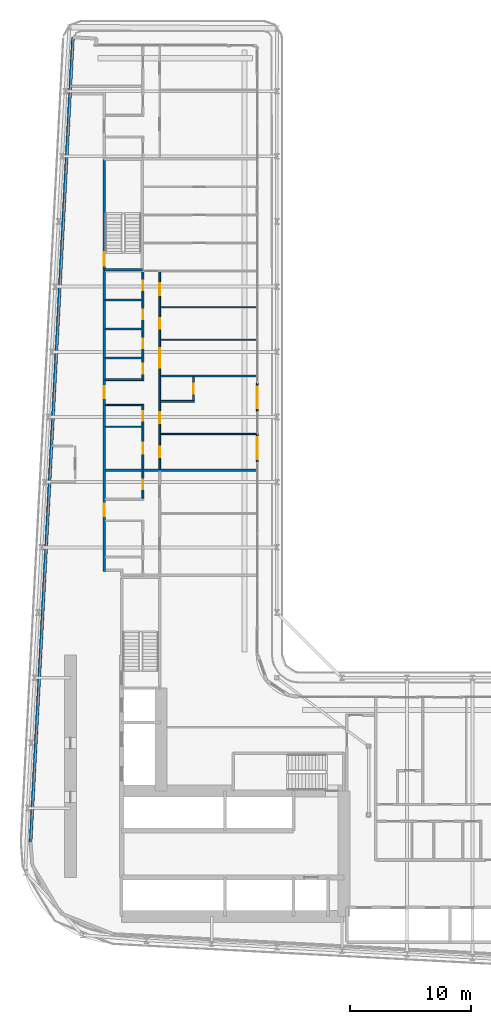
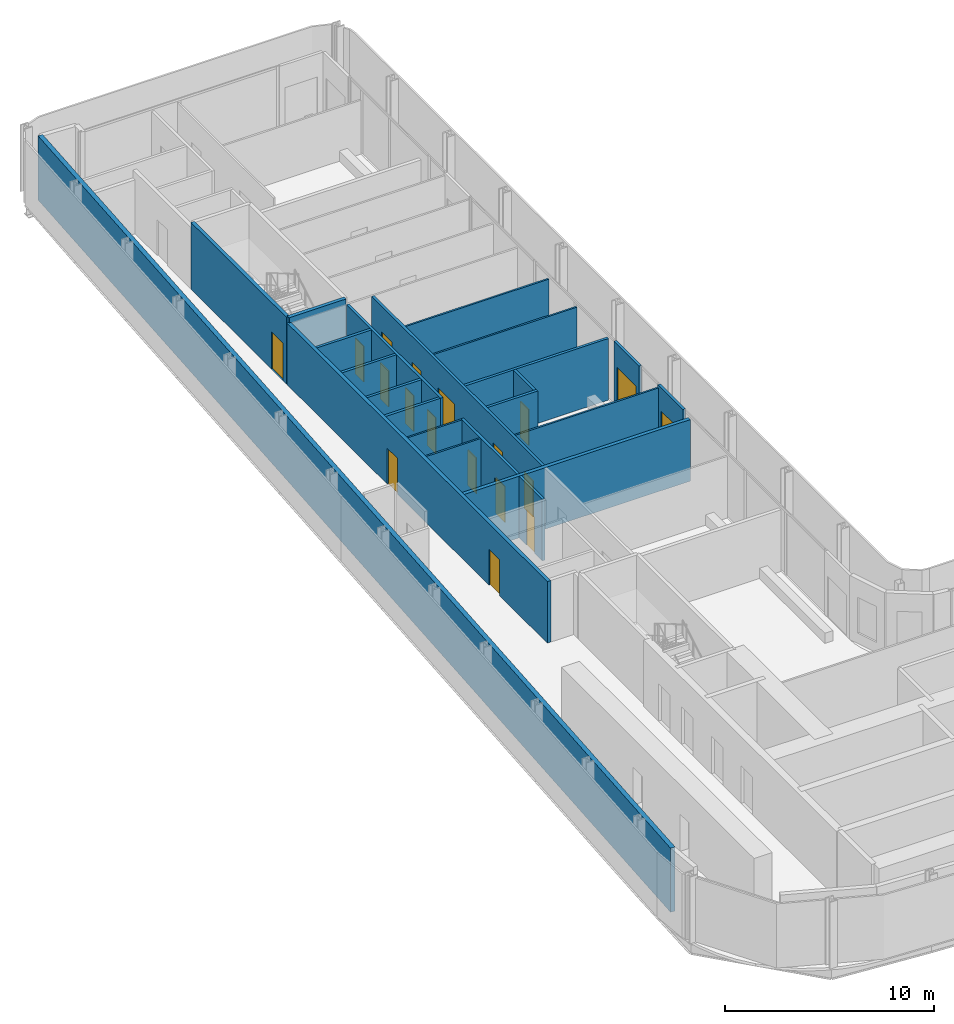
# One storey, part 15 of 24: 23 walls, 18 doors, 18 openings.
"""IFC4 building model written with IfcOpenShell, lengths in metres."""

from ifc_helpers import new_model, si_unit, direction, frame, frame_2d, origin, place, context, subcontext, project, spatial, rectangle, extrude, source, transform, mapped, material, layer, layer_set, type_object, element, fill, save


model = new_model("IFC4")

# Units and contexts
model_context = context("Model", 3, precision=1e-05, world=origin(), true_north=direction((0.0, 1.0)))
body_context = subcontext(model_context, "Body", "Model", "MODEL_VIEW")
ifc_project = project(units=[si_unit("LENGTHUNIT", "METRE"), si_unit("AREAUNIT", "SQUARE_METRE"), si_unit("VOLUMEUNIT", "CUBIC_METRE"), si_unit("PLANEANGLEUNIT", "RADIAN"), si_unit("MASSUNIT", "GRAM", prefix="KILO")], contexts=[model_context])

# Site, building, storey
site_placement = place(None, origin())
site = spatial("IfcSite", under=ifc_project, at=site_placement, CompositionType="ELEMENT")
building_placement = place(site_placement, origin())
building = spatial("IfcBuilding", under=site, at=building_placement, Name="Kheshtan School and Residences Tower", CompositionType="ELEMENT")
storey_placement = place(building_placement, frame((0.0, 0.0, 38.300048828125)))
storey = spatial("IfcBuildingStorey", under=building, at=storey_placement, Name="L08", CompositionType="ELEMENT", Elevation=38.300048828125)

# Wall, openings, doors
ifc_material_1 = material(Name="Gypsum board on steel studs with fire boards", Category="steel")
ifc_layer_1 = layer(ifc_material_1, 0.199951171875)
ifc_layer_set_1 = layer_set([ifc_layer_1], Name="Corridor wall 200")
wall_type_1 = type_object("IfcWallType", Name="Corridor wall 200", PredefinedType="PARTITIONING", material=ifc_layer_set_1)
wall_1_placement = place(storey_placement, frame((33.300048828125, 54.39990234375, 0.0), z_axis=(0.0, 0.0, 1.0), x_axis=(0.0, 1.0, 0.0)))
wall_1 = element("IfcWall", 1, at=wall_1_placement, inside=storey, type_object=wall_type_1, Name="Partition L08-003", PredefinedType="PARTITIONING", context=body_context, shape_type="SweptSolid", body=[
    extrude(rectangle(XDim=24.9501953125, YDim=0.199951171875, at=frame_2d((12.47509765625, 0.0))), origin(), (0.0, 0.0, 1.0), 3.599853515625),
])
opening_1_placement = place(wall_1_placement, frame((4.60009765625, 0.0, 0.0)))
opening_1 = element("IfcOpeningElement", 2, at=opening_1_placement, cuts=wall_1, Name="Opening D08-029", PredefinedType="OPENING", context=body_context, shape_type="SweptSolid", body=[
    extrude(rectangle(XDim=1.0, YDim=2.10009765625, at=frame_2d((0.5, 1.050048828125))), frame((0.0, 0.10986328125, 0.0), z_axis=(0.0, -1.0, 0.0), x_axis=(1.0, 0.0, 0.0)), (0.0, 0.0, 1.0), 0.219970703125),
])
opening_2_placement = place(wall_1_placement, frame((14.35009765625, 0.0, 0.0)))
opening_2 = element("IfcOpeningElement", 3, at=opening_2_placement, cuts=wall_1, Name="Opening D08-039", PredefinedType="OPENING", context=body_context, shape_type="SweptSolid", body=[
    extrude(rectangle(XDim=1.0, YDim=2.10009765625, at=frame_2d((0.5, 1.050048828125))), frame((0.0, 0.10986328125, 0.0), z_axis=(0.0, -1.0, 0.0), x_axis=(1.0, 0.0, 0.0)), (0.0, 0.0, 1.0), 0.219970703125),
])
ifc_material_2 = material(Name="Steel-framed fire-resisting door leaf", Category="steel")
door_type_1 = type_object("IfcDoorType", Name="Fire door FD30S 1000 x 2100", OperationType="SINGLE_SWING_LEFT", PredefinedType="DOOR", material=ifc_material_2)
shared_shape_1 = source(origin(), body_context, "Body", "SweptSolid", [
    extrude(rectangle(XDim=1.0, YDim=2.10009765625, at=frame_2d((0.5, 1.050048828125))), frame((0.0, 0.02490234375, 0.0), z_axis=(0.0, -1.0, 0.0), x_axis=(1.0, 0.0, 0.0)), (0.0, 0.0, 1.0), 0.050048828125),
])
door_1_placement = place(opening_1_placement, origin())
door_1 = element("IfcDoor", 4, at=door_1_placement, inside=storey, type_object=door_type_1, Name="Door D08-029", OperationType="SINGLE_SWING_LEFT", OverallHeight=2.10009765625, OverallWidth=1.0, PredefinedType="DOOR", context=body_context, shape_type="MappedRepresentation", body=[
    mapped(shared_shape_1, transform((0.0, 0.0, 0.0), x_axis=(1.0, 0.0, 0.0), y_axis=(0.0, 1.0, 0.0), z_axis=(0.0, 0.0, 1.0), scale=1.0)),
])
fill(opening_1, door_1)
door_2_placement = place(opening_2_placement, origin())
door_2 = element("IfcDoor", 5, at=door_2_placement, inside=storey, type_object=door_type_1, Name="Door D08-039", OperationType="SINGLE_SWING_LEFT", OverallHeight=2.10009765625, OverallWidth=1.0, PredefinedType="DOOR", context=body_context, shape_type="MappedRepresentation", body=[
    mapped(shared_shape_1, transform((0.0, 0.0, 0.0), x_axis=(1.0, 0.0, 0.0), y_axis=(0.0, 1.0, 0.0), z_axis=(0.0, 0.0, 1.0), scale=1.0)),
])
fill(opening_2, door_2)

# Wall
ifc_material_3 = material(Name="Concrete C40/50 with ceramic cladding and mineral wool insulation", Category="concrete")
ifc_layer_2 = layer(ifc_material_3, 0.25)
ifc_layer_set_2 = layer_set([ifc_layer_2], Name="External wall 250 ceramic clad")
wall_type_2 = type_object("IfcWallType", Name="External wall 250 ceramic clad", PredefinedType="SOLIDWALL", material=ifc_layer_set_2)
wall_2_placement = place(storey_placement, frame((27.195068359375, 31.968994140625, 0.0), z_axis=(0.0, 0.0, 1.0), x_axis=(0.052554995867, 0.998618031286, 0.0)))
element("IfcWall", 6, at=wall_2_placement, inside=storey, type_object=wall_type_2, Name="External wall L08 4", PredefinedType="SOLIDWALL", context=body_context, shape_type="SweptSolid", body=[
    extrude(rectangle(XDim=66.787353515625, YDim=0.25, at=frame_2d((33.3935546875, 0.0))), origin(), (0.0, 0.0, 1.0), 3.75),
])

# Wall, opening, door
ifc_material_4 = material(Name="Aluminium frame wall with insulated infill", Category="aluminium")
ifc_layer_3 = layer(ifc_material_4, 0.14990234375)
ifc_layer_set_3 = layer_set([ifc_layer_3], Name="Glazing frame wall 150")
wall_type_3 = type_object("IfcWallType", Name="Glazing frame wall 150", PredefinedType="SOLIDWALL", material=ifc_layer_set_3)
wall_3_placement = place(storey_placement, frame((45.97509765625, 70.01806640625, 0.0), z_axis=(0.0, 0.0, 1.0), x_axis=(0.0, -1.0, 0.0)))
wall_3 = element("IfcWall", 7, at=wall_3_placement, inside=storey, type_object=wall_type_3, Name="Balcony door wall L08 8.3", PredefinedType="SOLIDWALL", context=body_context, shape_type="SweptSolid", body=[
    extrude(rectangle(XDim=2.400146484375, YDim=0.14990234375, at=frame_2d((1.2001953125, 0.0))), origin(), (0.0, 0.0, 1.0), 3.75),
])
opening_3_placement = place(wall_3_placement, frame((0.300048828125, 0.0, 0.0)))
opening_3 = element("IfcOpeningElement", 8, at=opening_3_placement, cuts=wall_3, Name="Opening BD", PredefinedType="OPENING", context=body_context, shape_type="SweptSolid", body=[
    extrude(rectangle(XDim=1.800048828125, YDim=2.39990234375, at=frame_2d((0.89990234375, 1.199951171875))), frame((0.0, 0.0849609375, 0.0), z_axis=(0.0, -1.0, 0.0), x_axis=(1.0, 0.0, 0.0)), (0.0, 0.0, 1.0), 0.169921875),
])
ifc_material_5 = material(Name="Clear low-e glass in thermally broken aluminium frame", Category="aluminium")
door_type_2 = type_object("IfcDoorType", Name="Balcony sliding door", OperationType="SLIDING_TO_LEFT", PredefinedType="DOOR", material=ifc_material_5)
shared_shape_2 = source(origin(), body_context, "Body", "SweptSolid", [
    extrude(rectangle(XDim=1.800048828125, YDim=2.39990234375, at=frame_2d((0.89990234375, 1.199951171875))), frame((0.0, 0.02490234375, 0.0), z_axis=(0.0, -1.0, 0.0), x_axis=(1.0, 0.0, 0.0)), (0.0, 0.0, 1.0), 0.050048828125),
])
door_3_placement = place(opening_3_placement, origin())
door_3 = element("IfcDoor", 9, at=door_3_placement, inside=storey, type_object=door_type_2, Name="Balcony door L08 8.3", OperationType="SLIDING_TO_LEFT", OverallHeight=2.39990234375, OverallWidth=1.800048828125, PredefinedType="DOOR", context=body_context, shape_type="MappedRepresentation", body=[
    mapped(shared_shape_2, transform((0.0, 0.0, 0.0), x_axis=(1.0, 0.0, 0.0), y_axis=(0.0, 1.0, 0.0), z_axis=(0.0, 0.0, 1.0), scale=1.0)),
])
fill(opening_3, door_3)

wall_4_placement = place(storey_placement, frame((45.97509765625, 65.818115234375, 0.0), z_axis=(0.0, 0.0, 1.0), x_axis=(0.0, -1.0, 0.0)))
wall_4 = element("IfcWall", 10, at=wall_4_placement, inside=storey, type_object=wall_type_3, Name="Balcony door wall L08 8.4", PredefinedType="SOLIDWALL", context=body_context, shape_type="SweptSolid", body=[
    extrude(rectangle(XDim=2.400146484375, YDim=0.14990234375, at=frame_2d((1.2001953125, 0.0))), origin(), (0.0, 0.0, 1.0), 3.75),
])
opening_4_placement = place(wall_4_placement, frame((0.300048828125, 0.0, 0.0)))
opening_4 = element("IfcOpeningElement", 11, at=opening_4_placement, cuts=wall_4, Name="Opening BD", PredefinedType="OPENING", context=body_context, shape_type="SweptSolid", body=[
    extrude(rectangle(XDim=1.800048828125, YDim=2.39990234375, at=frame_2d((0.89990234375, 1.199951171875))), frame((0.0, 0.0849609375, 0.0), z_axis=(0.0, -1.0, 0.0), x_axis=(1.0, 0.0, 0.0)), (0.0, 0.0, 1.0), 0.169921875),
])
door_4_placement = place(opening_4_placement, origin())
door_4 = element("IfcDoor", 12, at=door_4_placement, inside=storey, type_object=door_type_2, Name="Balcony door L08 8.4", OperationType="SLIDING_TO_LEFT", OverallHeight=2.39990234375, OverallWidth=1.800048828125, PredefinedType="DOOR", context=body_context, shape_type="MappedRepresentation", body=[
    mapped(shared_shape_2, transform((0.0, 0.0, 0.0), x_axis=(1.0, 0.0, 0.0), y_axis=(0.0, 1.0, 0.0), z_axis=(0.0, 0.0, 1.0), scale=1.0)),
])
fill(opening_4, door_4)

# Walls
ifc_material_6 = material(Name="Gypsum board on steel studs", Category="steel")
ifc_layer_4 = layer(ifc_material_6, 0.10009765625)
ifc_layer_set_4 = layer_set([ifc_layer_4], Name="Gypsum partition 100")
wall_type_4 = type_object("IfcWallType", Name="Gypsum partition 100", PredefinedType="PARTITIONING", material=ifc_layer_set_4)
for number, where, z_axis, x_axis, name in (
    (13, (33.39990234375, 66.39990234375, 0.0), (0.0, 0.0, 1.0), (1.0, 0.0, 0.0), "Partition L08-010"),
    (14, (33.39990234375, 68.199951171875, 0.0), (0.0, 0.0, 1.0), (1.0, 0.0, 0.0), "Partition L08-011"),
):
    element("IfcWall", number, at=place(storey_placement, frame(where, z_axis=z_axis, x_axis=x_axis)), inside=storey, type_object=wall_type_4, Name=name, PredefinedType="PARTITIONING", context=body_context, shape_type="SweptSolid", body=[
        extrude(rectangle(XDim=3.025146484375, YDim=0.10009765625, at=frame_2d((1.5126953125, 0.0))), origin(), (0.0, 0.0, 1.0), 3.599853515625),
    ])
for number, where, z_axis, x_axis, name in (
    (15, (37.97509765625, 65.800048828125, 0.0), (0.0, 0.0, 1.0), (1.0, 0.0, 0.0), "Partition L08-037"),
    (16, (37.97509765625, 73.60009765625, 0.0), (0.0, 0.0, 1.0), (1.0, 0.0, 0.0), "Partition L08-040"),
    (17, (37.97509765625, 76.300048828125, 0.0), (0.0, 0.0, 1.0), (1.0, 0.0, 0.0), "Partition L08-041"),
):
    element("IfcWall", number, at=place(storey_placement, frame(where, z_axis=z_axis, x_axis=x_axis)), inside=storey, type_object=wall_type_4, Name=name, PredefinedType="PARTITIONING", context=body_context, shape_type="SweptSolid", body=[
        extrude(rectangle(XDim=7.9248046875, YDim=0.10009765625, at=frame_2d((3.96240234375, 0.0))), origin(), (0.0, 0.0, 1.0), 3.599853515625),
    ])
ifc_material_7 = material(Name="Concrete C40/50", Category="concrete")
ifc_layer_5 = layer(ifc_material_7, 0.199951171875)
ifc_layer_set_5 = layer_set([ifc_layer_5], Name="Stair enclosure wall 200 Concrete C40/50")
wall_type_5 = type_object("IfcWallType", Name="Stair enclosure wall 200 Concrete C40/50", PredefinedType="SHEAR", material=ifc_layer_set_5)
wall_5_placement = place(storey_placement, frame((33.300048828125, 79.39990234375, 0.0), z_axis=(0.0, 0.0, 1.0), x_axis=(1.0, 0.0, 0.0)))
element("IfcWall", 18, at=wall_5_placement, inside=storey, type_object=wall_type_5, Name="Stair enclosure wall ST3", PredefinedType="SHEAR", context=body_context, shape_type="SweptSolid", body=[
    extrude(rectangle(XDim=3.14990234375, YDim=0.199951171875, at=frame_2d((1.574951171875, 0.0))), origin(), (0.0, 0.0, 1.0), 3.89990234375),
])

# Wall, opening, door
wall_6_placement = place(storey_placement, frame((33.300048828125, 79.39990234375, 0.0), z_axis=(0.0, 0.0, 1.0), x_axis=(0.0, 1.0, 0.0)))
wall_6 = element("IfcWall", 19, at=wall_6_placement, inside=storey, type_object=wall_type_5, Name="Stair enclosure wall ST3", PredefinedType="SHEAR", context=body_context, shape_type="SweptSolid", body=[
    extrude(rectangle(XDim=9.16015625, YDim=0.199951171875, at=frame_2d((4.580078125, 0.0))), origin(), (0.0, 0.0, 1.0), 3.89990234375),
])
opening_5_placement = place(wall_6_placement, frame((0.35009765625, 0.0, 0.0)))
opening_5 = element("IfcOpeningElement", 20, at=opening_5_placement, cuts=wall_6, Name="Opening ST3D", PredefinedType="OPENING", context=body_context, shape_type="SweptSolid", body=[
    extrude(rectangle(XDim=1.10009765625, YDim=2.199951171875, at=frame_2d((0.550048828125, 1.10009765625))), frame((0.0, 0.10986328125, 0.0), z_axis=(0.0, -1.0, 0.0), x_axis=(1.0, 0.0, 0.0)), (0.0, 0.0, 1.0), 0.219970703125),
])
ifc_material_8 = material(Name="Steel door leaf, galvanised", Category="steel")
door_type_3 = type_object("IfcDoorType", Name="Stair door 1100 steel 90 min", OperationType="SINGLE_SWING_LEFT", PredefinedType="DOOR", material=ifc_material_8)
shared_shape_3 = source(origin(), body_context, "Body", "SweptSolid", [
    extrude(rectangle(XDim=1.10009765625, YDim=2.199951171875, at=frame_2d((0.550048828125, 1.10009765625))), frame((0.0, 0.02490234375, 0.0), z_axis=(0.0, -1.0, 0.0), x_axis=(1.0, 0.0, 0.0)), (0.0, 0.0, 1.0), 0.050048828125),
])
door_5_placement = place(opening_5_placement, origin())
door_5 = element("IfcDoor", 21, at=door_5_placement, inside=storey, type_object=door_type_3, Name="Stair ST3 door", OperationType="SINGLE_SWING_RIGHT", OverallHeight=2.199951171875, OverallWidth=1.10009765625, PredefinedType="DOOR", context=body_context, shape_type="MappedRepresentation", body=[
    mapped(shared_shape_3, transform((0.0, 0.0, 0.0), x_axis=(1.0, 0.0, 0.0), y_axis=(0.0, 1.0, 0.0), z_axis=(0.0, 0.0, 1.0), scale=1.0)),
])
fill(opening_5, door_5)

# Walls
ifc_material_9 = material(Name="Twin gypsum board on steel studs with mineral wool", Category="steel")
ifc_layer_6 = layer(ifc_material_9, 0.199951171875)
ifc_layer_set_6 = layer_set([ifc_layer_6], Name="Unit demising wall 200")
wall_type_6 = type_object("IfcWallType", Name="Unit demising wall 200", PredefinedType="PARTITIONING", material=ifc_layer_set_6)
wall_7_placement = place(storey_placement, frame((33.39990234375, 62.800048828125, 0.0), z_axis=(0.0, 0.0, 1.0), x_axis=(1.0, 0.0, 0.0)))
element("IfcWall", 22, at=wall_7_placement, inside=storey, type_object=wall_type_6, Name="Partition L08-009", PredefinedType="PARTITIONING", context=body_context, shape_type="SweptSolid", body=[
    extrude(rectangle(XDim=12.5, YDim=0.199951171875, at=frame_2d((6.25, 0.0))), origin(), (0.0, 0.0, 1.0), 3.599853515625),
])
ifc_material_10 = material(Name="Moisture-resistant gypsum board on steel studs", Category="steel")
ifc_layer_7 = layer(ifc_material_10, 0.14990234375)
ifc_layer_set_7 = layer_set([ifc_layer_7], Name="Wet-room partition 150")
wall_type_7 = type_object("IfcWallType", Name="Wet-room partition 150", PredefinedType="PARTITIONING", material=ifc_layer_set_7)
for number, where, z_axis, x_axis, name in (
    (23, (33.39990234375, 70.300048828125, 0.0), (0.0, 0.0, 1.0), (1.0, 0.0, 0.0), "Partition L08-012"),
    (24, (33.39990234375, 72.10009765625, 0.0), (0.0, 0.0, 1.0), (1.0, 0.0, 0.0), "Partition L08-013"),
    (25, (33.39990234375, 74.5, 0.0), (0.0, 0.0, 1.0), (1.0, 0.0, 0.0), "Partition L08-014"),
    (26, (33.39990234375, 76.89990234375, 0.0), (0.0, 0.0, 1.0), (1.0, 0.0, 0.0), "Partition L08-015"),
):
    element("IfcWall", number, at=place(storey_placement, frame(where, z_axis=z_axis, x_axis=x_axis)), inside=storey, type_object=wall_type_7, Name=name, PredefinedType="PARTITIONING", context=body_context, shape_type="SweptSolid", body=[
        extrude(rectangle(XDim=3.025146484375, YDim=0.14990234375, at=frame_2d((1.5126953125, 0.0))), origin(), (0.0, 0.0, 1.0), 3.599853515625),
    ])

# Wall, opening, door
wall_8_placement = place(storey_placement, frame((36.5, 60.47509765625, 0.0), z_axis=(0.0, 0.0, 1.0), x_axis=(0.0, 1.0, 0.0)))
wall_8 = element("IfcWall", 27, at=wall_8_placement, inside=storey, type_object=wall_type_7, Name="Partition L08-024", PredefinedType="PARTITIONING", context=body_context, shape_type="SweptSolid", body=[
    extrude(rectangle(XDim=2.224853515625, YDim=0.14990234375, at=frame_2d((1.1123046875, 0.0))), origin(), (0.0, 0.0, 1.0), 3.599853515625),
])
opening_6_placement = place(wall_8_placement, frame((0.72509765625, 0.0, 0.0)))
opening_6 = element("IfcOpeningElement", 28, at=opening_6_placement, cuts=wall_8, Name="Opening D08-027", PredefinedType="OPENING", context=body_context, shape_type="SweptSolid", body=[
    extrude(rectangle(XDim=0.800048828125, YDim=2.10009765625, at=frame_2d((0.39990234375, 1.050048828125))), frame((0.0, 0.0849609375, 0.0), z_axis=(0.0, -1.0, 0.0), x_axis=(1.0, 0.0, 0.0)), (0.0, 0.0, 1.0), 0.169921875),
])
ifc_material_11 = material(Name="Veneered timber door leaf", Category="wood")
door_type_4 = type_object("IfcDoorType", Name="Door 800 x 2100", OperationType="SINGLE_SWING_LEFT", PredefinedType="DOOR", material=ifc_material_11)
shared_shape_4 = source(origin(), body_context, "Body", "SweptSolid", [
    extrude(rectangle(XDim=0.800048828125, YDim=2.10009765625, at=frame_2d((0.39990234375, 1.050048828125))), frame((0.0, 0.02490234375, 0.0), z_axis=(0.0, -1.0, 0.0), x_axis=(1.0, 0.0, 0.0)), (0.0, 0.0, 1.0), 0.050048828125),
])
door_6_placement = place(opening_6_placement, origin())
door_6 = element("IfcDoor", 29, at=door_6_placement, inside=storey, type_object=door_type_4, Name="Door D08-027", OperationType="SINGLE_SWING_LEFT", OverallHeight=2.10009765625, OverallWidth=0.800048828125, PredefinedType="DOOR", context=body_context, shape_type="MappedRepresentation", body=[
    mapped(shared_shape_4, transform((0.0, 0.0, 0.0), x_axis=(1.0, 0.0, 0.0), y_axis=(0.0, 1.0, 0.0), z_axis=(0.0, 0.0, 1.0), scale=1.0)),
])
fill(opening_6, door_6)

# Wall, openings, doors
wall_9_placement = place(storey_placement, frame((36.5, 62.89990234375, 0.0), z_axis=(0.0, 0.0, 1.0), x_axis=(0.0, 1.0, 0.0)))
wall_9 = element("IfcWall", 30, at=wall_9_placement, inside=storey, type_object=wall_type_7, Name="Partition L08-025", PredefinedType="PARTITIONING", context=body_context, shape_type="SweptSolid", body=[
    extrude(rectangle(XDim=5.35009765625, YDim=0.14990234375, at=frame_2d((2.675048828125, 0.0))), origin(), (0.0, 0.0, 1.0), 3.599853515625),
])
opening_7_placement = place(wall_9_placement, frame((1.25, 0.0, 0.0)))
opening_7 = element("IfcOpeningElement", 31, at=opening_7_placement, cuts=wall_9, Name="Opening D08-040", PredefinedType="OPENING", context=body_context, shape_type="SweptSolid", body=[
    extrude(rectangle(XDim=0.89990234375, YDim=2.10009765625, at=frame_2d((0.449951171875, 1.050048828125))), frame((0.0, 0.0849609375, 0.0), z_axis=(0.0, -1.0, 0.0), x_axis=(1.0, 0.0, 0.0)), (0.0, 0.0, 1.0), 0.169921875),
])
opening_8_placement = place(wall_9_placement, frame((4.0, 0.0, 0.0)))
opening_8 = element("IfcOpeningElement", 32, at=opening_8_placement, cuts=wall_9, Name="Opening D08-044", PredefinedType="OPENING", context=body_context, shape_type="SweptSolid", body=[
    extrude(rectangle(XDim=0.800048828125, YDim=2.10009765625, at=frame_2d((0.39990234375, 1.050048828125))), frame((0.0, 0.0849609375, 0.0), z_axis=(0.0, -1.0, 0.0), x_axis=(1.0, 0.0, 0.0)), (0.0, 0.0, 1.0), 0.169921875),
])
door_7_placement = place(opening_8_placement, origin())
door_7 = element("IfcDoor", 33, at=door_7_placement, inside=storey, type_object=door_type_4, Name="Door D08-044", OperationType="SINGLE_SWING_RIGHT", OverallHeight=2.10009765625, OverallWidth=0.800048828125, PredefinedType="DOOR", context=body_context, shape_type="MappedRepresentation", body=[
    mapped(shared_shape_4, transform((0.0, 0.0, 0.0), x_axis=(1.0, 0.0, 0.0), y_axis=(0.0, 1.0, 0.0), z_axis=(0.0, 0.0, 1.0), scale=1.0)),
])
fill(opening_8, door_7)
door_type_5 = type_object("IfcDoorType", Name="Door 900 x 2100", OperationType="SINGLE_SWING_LEFT", PredefinedType="DOOR", material=ifc_material_11)
shared_shape_5 = source(origin(), body_context, "Body", "SweptSolid", [
    extrude(rectangle(XDim=0.89990234375, YDim=2.10009765625, at=frame_2d((0.449951171875, 1.050048828125))), frame((0.0, 0.02490234375, 0.0), z_axis=(0.0, -1.0, 0.0), x_axis=(1.0, 0.0, 0.0)), (0.0, 0.0, 1.0), 0.050048828125),
])
door_8_placement = place(opening_7_placement, origin())
door_8 = element("IfcDoor", 34, at=door_8_placement, inside=storey, type_object=door_type_5, Name="Door D08-040", OperationType="SINGLE_SWING_LEFT", OverallHeight=2.10009765625, OverallWidth=0.89990234375, PredefinedType="DOOR", context=body_context, shape_type="MappedRepresentation", body=[
    mapped(shared_shape_5, transform((0.0, 0.0, 0.0), x_axis=(1.0, 0.0, 0.0), y_axis=(0.0, 1.0, 0.0), z_axis=(0.0, 0.0, 1.0), scale=1.0)),
])
fill(opening_7, door_8)

wall_10_placement = place(storey_placement, frame((36.5, 70.22509765625, 0.0), z_axis=(0.0, 0.0, 1.0), x_axis=(0.0, 1.0, 0.0)))
wall_10 = element("IfcWall", 35, at=wall_10_placement, inside=storey, type_object=wall_type_7, Name="Partition L08-026", PredefinedType="PARTITIONING", context=body_context, shape_type="SweptSolid", body=[
    extrude(rectangle(XDim=9.02490234375, YDim=0.14990234375, at=frame_2d((4.512451171875, 0.0))), origin(), (0.0, 0.0, 1.0), 3.599853515625),
])
opening_9_placement = place(wall_10_placement, frame((2.675048828125, 0.0, 0.0)))
opening_9 = element("IfcOpeningElement", 36, at=opening_9_placement, cuts=wall_10, Name="Opening D08-033", PredefinedType="OPENING", context=body_context, shape_type="SweptSolid", body=[
    extrude(rectangle(XDim=0.800048828125, YDim=2.10009765625, at=frame_2d((0.39990234375, 1.050048828125))), frame((0.0, 0.0849609375, 0.0), z_axis=(0.0, -1.0, 0.0), x_axis=(1.0, 0.0, 0.0)), (0.0, 0.0, 1.0), 0.169921875),
])
opening_10_placement = place(wall_10_placement, frame((5.074951171875, 0.0, 0.0)))
opening_10 = element("IfcOpeningElement", 37, at=opening_10_placement, cuts=wall_10, Name="Opening D08-034", PredefinedType="OPENING", context=body_context, shape_type="SweptSolid", body=[
    extrude(rectangle(XDim=0.800048828125, YDim=2.10009765625, at=frame_2d((0.39990234375, 1.050048828125))), frame((0.0, 0.0849609375, 0.0), z_axis=(0.0, -1.0, 0.0), x_axis=(1.0, 0.0, 0.0)), (0.0, 0.0, 1.0), 0.169921875),
])
opening_11_placement = place(wall_10_placement, frame((7.47509765625, 0.0, 0.0)))
opening_11 = element("IfcOpeningElement", 38, at=opening_11_placement, cuts=wall_10, Name="Opening D08-037", PredefinedType="OPENING", context=body_context, shape_type="SweptSolid", body=[
    extrude(rectangle(XDim=0.800048828125, YDim=2.10009765625, at=frame_2d((0.39990234375, 1.050048828125))), frame((0.0, 0.0849609375, 0.0), z_axis=(0.0, -1.0, 0.0), x_axis=(1.0, 0.0, 0.0)), (0.0, 0.0, 1.0), 0.169921875),
])
opening_12_placement = place(wall_10_placement, frame((0.574951171875, 0.0, 0.0)))
opening_12 = element("IfcOpeningElement", 39, at=opening_12_placement, cuts=wall_10, Name="Opening D08-045", PredefinedType="OPENING", context=body_context, shape_type="SweptSolid", body=[
    extrude(rectangle(XDim=0.800048828125, YDim=2.10009765625, at=frame_2d((0.39990234375, 1.050048828125))), frame((0.0, 0.0849609375, 0.0), z_axis=(0.0, -1.0, 0.0), x_axis=(1.0, 0.0, 0.0)), (0.0, 0.0, 1.0), 0.169921875),
])
door_9_placement = place(opening_9_placement, origin())
door_9 = element("IfcDoor", 40, at=door_9_placement, inside=storey, type_object=door_type_4, Name="Door D08-033", OperationType="SINGLE_SWING_LEFT", OverallHeight=2.10009765625, OverallWidth=0.800048828125, PredefinedType="DOOR", context=body_context, shape_type="MappedRepresentation", body=[
    mapped(shared_shape_4, transform((0.0, 0.0, 0.0), x_axis=(1.0, 0.0, 0.0), y_axis=(0.0, 1.0, 0.0), z_axis=(0.0, 0.0, 1.0), scale=1.0)),
])
fill(opening_9, door_9)
door_10_placement = place(opening_10_placement, origin())
door_10 = element("IfcDoor", 41, at=door_10_placement, inside=storey, type_object=door_type_4, Name="Door D08-034", OperationType="SINGLE_SWING_LEFT", OverallHeight=2.10009765625, OverallWidth=0.800048828125, PredefinedType="DOOR", context=body_context, shape_type="MappedRepresentation", body=[
    mapped(shared_shape_4, transform((0.0, 0.0, 0.0), x_axis=(1.0, 0.0, 0.0), y_axis=(0.0, 1.0, 0.0), z_axis=(0.0, 0.0, 1.0), scale=1.0)),
])
fill(opening_10, door_10)
door_11_placement = place(opening_11_placement, origin())
door_11 = element("IfcDoor", 42, at=door_11_placement, inside=storey, type_object=door_type_4, Name="Door D08-037", OperationType="SINGLE_SWING_LEFT", OverallHeight=2.10009765625, OverallWidth=0.800048828125, PredefinedType="DOOR", context=body_context, shape_type="MappedRepresentation", body=[
    mapped(shared_shape_4, transform((0.0, 0.0, 0.0), x_axis=(1.0, 0.0, 0.0), y_axis=(0.0, 1.0, 0.0), z_axis=(0.0, 0.0, 1.0), scale=1.0)),
])
fill(opening_11, door_11)
door_12_placement = place(opening_12_placement, origin())
door_12 = element("IfcDoor", 43, at=door_12_placement, inside=storey, type_object=door_type_4, Name="Door D08-045", OperationType="SINGLE_SWING_RIGHT", OverallHeight=2.10009765625, OverallWidth=0.800048828125, PredefinedType="DOOR", context=body_context, shape_type="MappedRepresentation", body=[
    mapped(shared_shape_4, transform((0.0, 0.0, 0.0), x_axis=(1.0, 0.0, 0.0), y_axis=(0.0, 1.0, 0.0), z_axis=(0.0, 0.0, 1.0), scale=1.0)),
])
fill(opening_12, door_12)

wall_11_placement = place(storey_placement, frame((37.89990234375, 62.89990234375, 0.0), z_axis=(0.0, 0.0, 1.0), x_axis=(0.0, 1.0, 0.0)))
wall_11 = element("IfcWall", 44, at=wall_11_placement, inside=storey, type_object=wall_type_7, Name="Partition L08-033", PredefinedType="PARTITIONING", context=body_context, shape_type="SweptSolid", body=[
    extrude(rectangle(XDim=16.35009765625, YDim=0.14990234375, at=frame_2d((8.175048828125, 0.0))), origin(), (0.0, 0.0, 1.0), 3.599853515625),
])
opening_13_placement = place(wall_11_placement, frame((0.949951171875, 0.0, 0.0)))
opening_13 = element("IfcOpeningElement", 45, at=opening_13_placement, cuts=wall_11, Name="Opening D08-035", PredefinedType="OPENING", context=body_context, shape_type="SweptSolid", body=[
    extrude(rectangle(XDim=0.89990234375, YDim=2.10009765625, at=frame_2d((0.449951171875, 1.050048828125))), frame((0.0, 0.0849609375, 0.0), z_axis=(0.0, -1.0, 0.0), x_axis=(1.0, 0.0, 0.0)), (0.0, 0.0, 1.0), 0.169921875),
])
opening_14_placement = place(wall_11_placement, frame((11.60009765625, 0.0, 0.0)))
opening_14 = element("IfcOpeningElement", 46, at=opening_14_placement, cuts=wall_11, Name="Opening D08-036", PredefinedType="OPENING", context=body_context, shape_type="SweptSolid", body=[
    extrude(rectangle(XDim=0.89990234375, YDim=2.10009765625, at=frame_2d((0.449951171875, 1.050048828125))), frame((0.0, 0.0849609375, 0.0), z_axis=(0.0, -1.0, 0.0), x_axis=(1.0, 0.0, 0.0)), (0.0, 0.0, 1.0), 0.169921875),
])
opening_15_placement = place(wall_11_placement, frame((14.39990234375, 0.0, 0.0)))
opening_15 = element("IfcOpeningElement", 47, at=opening_15_placement, cuts=wall_11, Name="Opening D08-041", PredefinedType="OPENING", context=body_context, shape_type="SweptSolid", body=[
    extrude(rectangle(XDim=1.0, YDim=2.10009765625, at=frame_2d((0.5, 1.050048828125))), frame((0.0, 0.0849609375, 0.0), z_axis=(0.0, -1.0, 0.0), x_axis=(1.0, 0.0, 0.0)), (0.0, 0.0, 1.0), 0.169921875),
])
opening_16_placement = place(wall_11_placement, frame((8.39990234375, 0.0, 0.0)))
opening_16 = element("IfcOpeningElement", 48, at=opening_16_placement, cuts=wall_11, Name="Opening D08-042", PredefinedType="OPENING", context=body_context, shape_type="SweptSolid", body=[
    extrude(rectangle(XDim=1.60009765625, YDim=2.10009765625, at=frame_2d((0.800048828125, 1.050048828125))), frame((0.0, 0.0849609375, 0.0), z_axis=(0.0, -1.0, 0.0), x_axis=(1.0, 0.0, 0.0)), (0.0, 0.0, 1.0), 0.169921875),
])
opening_17_placement = place(wall_11_placement, frame((3.800048828125, 0.0, 0.0)))
opening_17 = element("IfcOpeningElement", 49, at=opening_17_placement, cuts=wall_11, Name="Opening D08-043", PredefinedType="OPENING", context=body_context, shape_type="SweptSolid", body=[
    extrude(rectangle(XDim=0.89990234375, YDim=2.10009765625, at=frame_2d((0.449951171875, 1.050048828125))), frame((0.0, 0.0849609375, 0.0), z_axis=(0.0, -1.0, 0.0), x_axis=(1.0, 0.0, 0.0)), (0.0, 0.0, 1.0), 0.169921875),
])
door_type_6 = type_object("IfcDoorType", Name="Door 1000 x 2100", OperationType="SINGLE_SWING_LEFT", PredefinedType="DOOR", material=ifc_material_11)
shared_shape_6 = source(origin(), body_context, "Body", "SweptSolid", [
    extrude(rectangle(XDim=1.0, YDim=2.10009765625, at=frame_2d((0.5, 1.050048828125))), frame((0.0, 0.02490234375, 0.0), z_axis=(0.0, -1.0, 0.0), x_axis=(1.0, 0.0, 0.0)), (0.0, 0.0, 1.0), 0.050048828125),
])
door_13_placement = place(opening_15_placement, origin())
door_13 = element("IfcDoor", 50, at=door_13_placement, inside=storey, type_object=door_type_6, Name="Door D08-041", OperationType="SINGLE_SWING_LEFT", OverallHeight=2.10009765625, OverallWidth=1.0, PredefinedType="DOOR", context=body_context, shape_type="MappedRepresentation", body=[
    mapped(shared_shape_6, transform((0.0, 0.0, 0.0), x_axis=(1.0, 0.0, 0.0), y_axis=(0.0, 1.0, 0.0), z_axis=(0.0, 0.0, 1.0), scale=1.0)),
])
fill(opening_15, door_13)
door_14_placement = place(opening_13_placement, origin())
door_14 = element("IfcDoor", 51, at=door_14_placement, inside=storey, type_object=door_type_5, Name="Door D08-035", OperationType="SINGLE_SWING_LEFT", OverallHeight=2.10009765625, OverallWidth=0.89990234375, PredefinedType="DOOR", context=body_context, shape_type="MappedRepresentation", body=[
    mapped(shared_shape_5, transform((0.0, 0.0, 0.0), x_axis=(1.0, 0.0, 0.0), y_axis=(0.0, 1.0, 0.0), z_axis=(0.0, 0.0, 1.0), scale=1.0)),
])
fill(opening_13, door_14)
door_15_placement = place(opening_14_placement, origin())
door_15 = element("IfcDoor", 52, at=door_15_placement, inside=storey, type_object=door_type_5, Name="Door D08-036", OperationType="SINGLE_SWING_LEFT", OverallHeight=2.10009765625, OverallWidth=0.89990234375, PredefinedType="DOOR", context=body_context, shape_type="MappedRepresentation", body=[
    mapped(shared_shape_5, transform((0.0, 0.0, 0.0), x_axis=(1.0, 0.0, 0.0), y_axis=(0.0, 1.0, 0.0), z_axis=(0.0, 0.0, 1.0), scale=1.0)),
])
fill(opening_14, door_15)
door_16_placement = place(opening_17_placement, origin())
door_16 = element("IfcDoor", 53, at=door_16_placement, inside=storey, type_object=door_type_5, Name="Door D08-043", OperationType="SINGLE_SWING_RIGHT", OverallHeight=2.10009765625, OverallWidth=0.89990234375, PredefinedType="DOOR", context=body_context, shape_type="MappedRepresentation", body=[
    mapped(shared_shape_5, transform((0.0, 0.0, 0.0), x_axis=(1.0, 0.0, 0.0), y_axis=(0.0, 1.0, 0.0), z_axis=(0.0, 0.0, 1.0), scale=1.0)),
])
fill(opening_17, door_16)
door_type_7 = type_object("IfcDoorType", Name="Double door 1600 x 2100", OperationType="DOUBLE_DOOR_SINGLE_SWING", PredefinedType="DOOR", material=ifc_material_11)
shared_shape_7 = source(origin(), body_context, "Body", "SweptSolid", [
    extrude(rectangle(XDim=1.60009765625, YDim=2.10009765625, at=frame_2d((0.800048828125, 1.050048828125))), frame((0.0, 0.02490234375, 0.0), z_axis=(0.0, -1.0, 0.0), x_axis=(1.0, 0.0, 0.0)), (0.0, 0.0, 1.0), 0.050048828125),
])
door_17_placement = place(opening_16_placement, origin())
door_17 = element("IfcDoor", 54, at=door_17_placement, inside=storey, type_object=door_type_7, Name="Door D08-042", OperationType="DOUBLE_DOOR_SINGLE_SWING", OverallHeight=2.10009765625, OverallWidth=1.60009765625, PredefinedType="DOOR", context=body_context, shape_type="MappedRepresentation", body=[
    mapped(shared_shape_7, transform((0.0, 0.0, 0.0), x_axis=(1.0, 0.0, 0.0), y_axis=(0.0, 1.0, 0.0), z_axis=(0.0, 0.0, 1.0), scale=1.0)),
])
fill(opening_16, door_17)

# Walls
wall_12_placement = place(storey_placement, frame((37.97509765625, 68.5, 0.0), z_axis=(0.0, 0.0, 1.0), x_axis=(1.0, 0.0, 0.0)))
element("IfcWall", 55, at=wall_12_placement, inside=storey, type_object=wall_type_7, Name="Partition L08-038", PredefinedType="PARTITIONING", context=body_context, shape_type="SweptSolid", body=[
    extrude(rectangle(XDim=2.7998046875, YDim=0.14990234375, at=frame_2d((1.39990234375, 0.0))), origin(), (0.0, 0.0, 1.0), 3.599853515625),
])
wall_13_placement = place(storey_placement, frame((37.97509765625, 70.60009765625, 0.0), z_axis=(0.0, 0.0, 1.0), x_axis=(1.0, 0.0, 0.0)))
element("IfcWall", 56, at=wall_13_placement, inside=storey, type_object=wall_type_7, Name="Partition L08-039", PredefinedType="PARTITIONING", context=body_context, shape_type="SweptSolid", body=[
    extrude(rectangle(XDim=7.9248046875, YDim=0.14990234375, at=frame_2d((3.96240234375, 0.0))), origin(), (0.0, 0.0, 1.0), 3.599853515625),
])

# Wall, opening, door
wall_14_placement = place(storey_placement, frame((40.699951171875, 68.574951171875, 0.0), z_axis=(0.0, 0.0, 1.0), x_axis=(0.0, 1.0, 0.0)))
wall_14 = element("IfcWall", 57, at=wall_14_placement, inside=storey, type_object=wall_type_7, Name="Partition L08-043", PredefinedType="PARTITIONING", context=body_context, shape_type="SweptSolid", body=[
    extrude(rectangle(XDim=1.949951171875, YDim=0.14990234375, at=frame_2d((0.97509765625, 0.0))), origin(), (0.0, 0.0, 1.0), 3.599853515625),
])
opening_18_placement = place(wall_14_placement, frame((0.574951171875, 0.0, 0.0)))
opening_18 = element("IfcOpeningElement", 58, at=opening_18_placement, cuts=wall_14, Name="Opening D08-038", PredefinedType="OPENING", context=body_context, shape_type="SweptSolid", body=[
    extrude(rectangle(XDim=0.800048828125, YDim=2.10009765625, at=frame_2d((0.39990234375, 1.050048828125))), frame((0.0, 0.0849609375, 0.0), z_axis=(0.0, -1.0, 0.0), x_axis=(1.0, 0.0, 0.0)), (0.0, 0.0, 1.0), 0.169921875),
])
door_18_placement = place(opening_18_placement, origin())
door_18 = element("IfcDoor", 59, at=door_18_placement, inside=storey, type_object=door_type_4, Name="Door D08-038", OperationType="SINGLE_SWING_RIGHT", OverallHeight=2.10009765625, OverallWidth=0.800048828125, PredefinedType="DOOR", context=body_context, shape_type="MappedRepresentation", body=[
    mapped(shared_shape_4, transform((0.0, 0.0, 0.0), x_axis=(1.0, 0.0, 0.0), y_axis=(0.0, 1.0, 0.0), z_axis=(0.0, 0.0, 1.0), scale=1.0)),
])
fill(opening_18, door_18)

save(model, "model.ifc")
